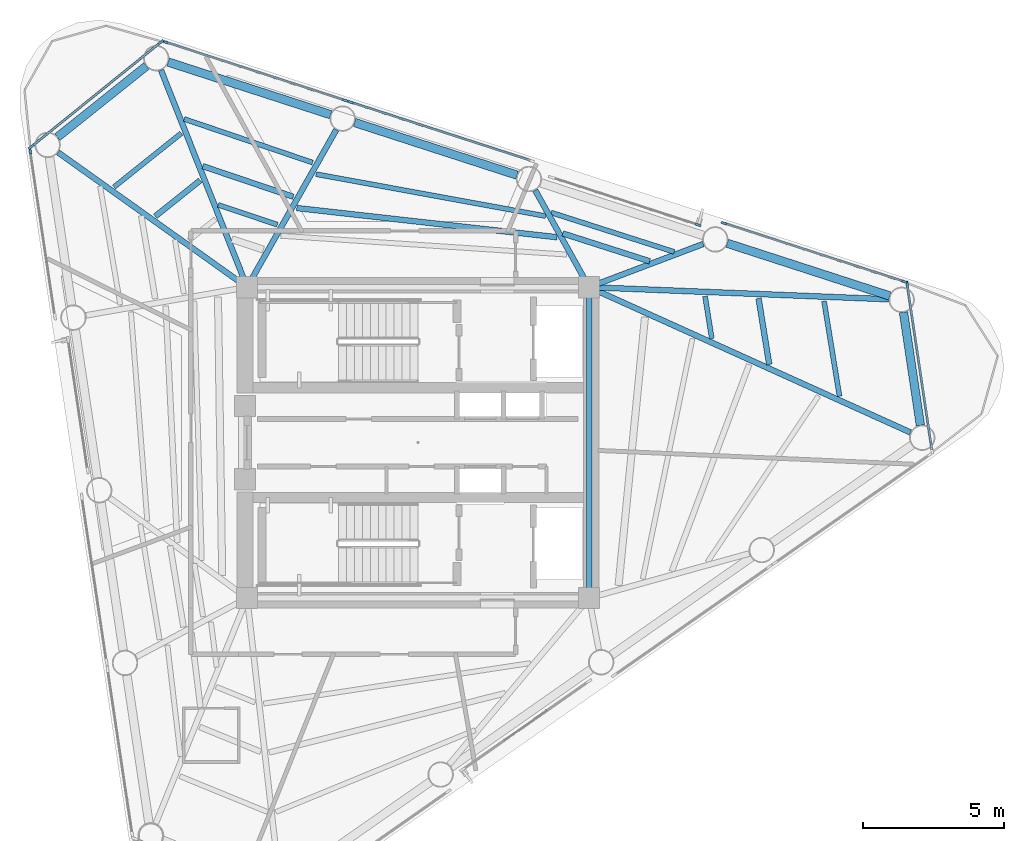
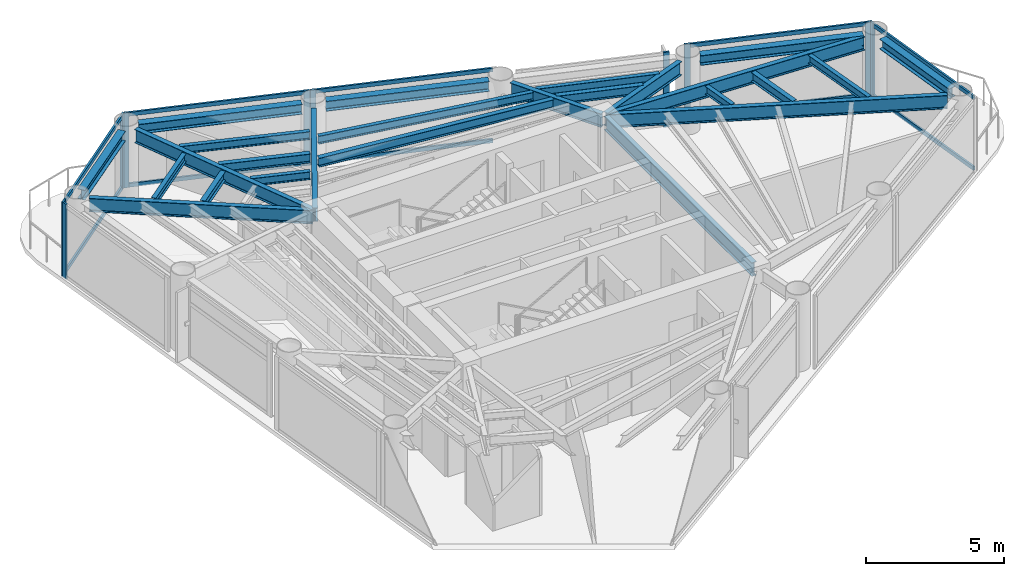
# One storey, part 3 of 9: 25 beams, 20 members, 7 elements without a shape of their own.
"""IFC4 building model written with IfcOpenShell, lengths in metres."""

from ifc_helpers import new_model, si_unit, direction, frame, origin, origin_2d, place, context, subcontext, project, spatial, rectangle, i_section, extrude, source, transform, mapped, material, layer, layer_set, material_profile, profile_set, type_object, element, aggregate, save


model = new_model("IFC4")

# Units and contexts
model_context = context("Model", 3, precision=1e-05, world=origin(), true_north=direction((0.0, 1.0)))
body_context = subcontext(model_context, "Body", "Model", "MODEL_VIEW")
ifc_project = project(units=[si_unit("LENGTHUNIT", "METRE"), si_unit("AREAUNIT", "SQUARE_METRE"), si_unit("VOLUMEUNIT", "CUBIC_METRE"), si_unit("PLANEANGLEUNIT", "RADIAN"), si_unit("MASSUNIT", "GRAM", prefix="KILO")], contexts=[model_context])

# Site, building, storey
site_placement = place(None, origin())
site = spatial("IfcSite", under=ifc_project, at=site_placement, CompositionType="ELEMENT")
building_placement = place(site_placement, origin())
building = spatial("IfcBuilding", under=site, at=building_placement, Name="Yunling Apex Tower", CompositionType="ELEMENT")
storey_placement = place(building_placement, frame((0.0, 0.0, 267.75)))
storey = spatial("IfcBuildingStorey", under=building, at=storey_placement, Name="L65", CompositionType="ELEMENT", Elevation=267.75)

# Beams
ifc_material_1 = material(Name="Steel Q355B", Category="steel")
ifc_material_profile_1 = material_profile(ifc_material_1, i_section(OverallWidth=0.199951171875, OverallDepth=0.60009765625, WebThickness=0.010986328125, FlangeThickness=0.01708984375, FilletRadius=0.02197265625, at=origin_2d()))
ifc_profile_set_1 = profile_set([ifc_material_profile_1], Name="Steel Q355B")
beam_type_1 = type_object("IfcBeamType", Name="BG-PRI-5", PredefinedType="USERDEFINED", material=ifc_profile_set_1)
shared_shape_1 = source(origin(), body_context, "Body", "SweptSolid", [
    extrude(i_section(OverallWidth=0.199951171875, OverallDepth=0.60009765625, WebThickness=0.010986328125, FlangeThickness=0.01708984375, FilletRadius=0.02197265625, at=origin_2d()), origin(), (0.0, 0.0, 1.0), 10.7001953125),
])
beam_1_placement = place(storey_placement, frame((6.050048828125, -5.35009765625, 2.919921875), z_axis=(0.0, 1.0, 0.0), x_axis=(-1.0, 0.0, 0.0)))
element("IfcBeam", 1, at=beam_1_placement, inside=storey, type_object=beam_type_1, Name="L65 Core Ring Tie Beam 2", ObjectType="GIRDER", PredefinedType="USERDEFINED", context=body_context, shape_type="MappedRepresentation", body=[
    mapped(shared_shape_1, transform((0.0, 0.0, 0.0), scale=1.0)),
])
ifc_material_profile_2 = material_profile(ifc_material_1, i_section(OverallWidth=0.300048828125, OverallDepth=0.43994140625, WebThickness=0.010986328125, FlangeThickness=0.01806640625, FilletRadius=0.02197265625, at=origin_2d()))
ifc_profile_set_2 = profile_set([ifc_material_profile_2], Name="Steel Q355B")
beam_type_2 = type_object("IfcBeamType", Name="BP-SPN-3", PredefinedType="SPANDREL", material=ifc_profile_set_2)
shared_shape_2 = source(origin(), body_context, "Body", "SweptSolid", [
    extrude(i_section(OverallWidth=0.300048828125, OverallDepth=0.43994140625, WebThickness=0.010986328125, FlangeThickness=0.01806640625, FilletRadius=0.02197265625, at=origin_2d()), origin(), (0.0, 0.0, 1.0), 6.043701171875),
])
for number, where, z_axis, x_axis, name in (
    (2, (16.687744140625, 5.189208984375, 3.0), (-0.951260618597, 0.308388124782, 0.0), (-0.308388124782, -0.951260618597, 0.0), "L65 Perimeter Spandrel Beam 6"),
    (3, (3.5, 9.464111328125, 3.0), (-0.951264460229, 0.30837627455, 0.0), (-0.30837627455, -0.951264460229, 0.0), "L65 Perimeter Spandrel Beam 8"),
    (4, (-3.093994140625, 11.601806640625, 3.0), (-0.951276309474, 0.308339720167, 0.0), (-0.308339720167, -0.951276309474, 0.0), "L65 Perimeter Spandrel Beam 9"),
):
    element("IfcBeam", number, at=place(storey_placement, frame(where, z_axis=z_axis, x_axis=x_axis)), inside=storey, type_object=beam_type_2, Name=name, PredefinedType="SPANDREL", context=body_context, shape_type="MappedRepresentation", body=[
        mapped(shared_shape_2, transform((0.0, 0.0, 0.0), scale=1.0)),
    ])
shared_shape_3 = source(origin(), body_context, "Body", "SweptSolid", [
    extrude(i_section(OverallWidth=0.300048828125, OverallDepth=0.43994140625, WebThickness=0.010986328125, FlangeThickness=0.01806640625, FilletRadius=0.02197265625, at=origin_2d()), origin(), (0.0, 0.0, 1.0), 4.047607421875),
])
beam_2_placement = place(storey_placement, frame((17.774169921875, 0.610107421875, 3.0), z_axis=(-0.147836074483, 0.98901187813, 0.0), x_axis=(-0.98901187813, -0.147836074483, 0.0)))
element("IfcBeam", 5, at=beam_2_placement, inside=storey, type_object=beam_type_2, Name="L65 Perimeter Spandrel Beam 5", PredefinedType="SPANDREL", context=body_context, shape_type="MappedRepresentation", body=[
    mapped(shared_shape_3, transform((0.0, 0.0, 0.0), scale=1.0)),
])
shared_shape_4 = source(origin(), body_context, "Body", "SweptSolid", [
    extrude(i_section(OverallWidth=0.300048828125, OverallDepth=0.43994140625, WebThickness=0.010986328125, FlangeThickness=0.01806640625, FilletRadius=0.02197265625, at=origin_2d()), origin(), (0.0, 0.0, 1.0), 4.03125),
])
beam_3_placement = place(storey_placement, frame((-9.612548828125, 13.3251953125, 3.0), z_axis=(-0.781412081213, -0.624015351842, 0.0), x_axis=(0.624015351842, -0.781412081213, 0.0)))
element("IfcBeam", 6, at=beam_3_placement, inside=storey, type_object=beam_type_2, Name="L65 Perimeter Spandrel Beam 10", PredefinedType="SPANDREL", context=body_context, shape_type="MappedRepresentation", body=[
    mapped(shared_shape_4, transform((0.0, 0.0, 0.0), scale=1.0)),
])
shared_shape_5 = source(origin(), body_context, "Body", "SweptSolid", [
    extrude(i_section(OverallWidth=0.199951171875, OverallDepth=0.60009765625, WebThickness=0.010986328125, FlangeThickness=0.01708984375, FilletRadius=0.02197265625, at=origin_2d()), origin(), (0.0, 0.0, 1.0), 12.400146484375),
])
beam_4_placement = place(storey_placement, frame((17.42236328125, 0.359619140625, 2.919921875), z_axis=(-0.911237617223, 0.411881056809, 0.0), x_axis=(-0.411881056809, -0.911237617223, 0.0)))
element("IfcBeam", 7, at=beam_4_placement, inside=storey, type_object=beam_type_1, Name="L65 Radial Primary Girder R05", ObjectType="GIRDER", PredefinedType="USERDEFINED", context=body_context, shape_type="MappedRepresentation", body=[
    mapped(shared_shape_5, transform((0.0, 0.0, 0.0), scale=1.0)),
])
shared_shape_6 = source(origin(), body_context, "Body", "SweptSolid", [
    extrude(i_section(OverallWidth=0.199951171875, OverallDepth=0.60009765625, WebThickness=0.010986328125, FlangeThickness=0.01708984375, FilletRadius=0.02197265625, at=origin_2d()), origin(), (0.0, 0.0, 1.0), 10.53125),
])
beam_5_placement = place(storey_placement, frame((16.652587890625, 5.07080078125, 2.919921875), z_axis=(-0.99918143594, 0.040453158992, 0.0), x_axis=(-0.040453158992, -0.99918143594, 0.0)))
element("IfcBeam", 8, at=beam_5_placement, inside=storey, type_object=beam_type_1, Name="L65 Radial Primary Girder R06", ObjectType="GIRDER", PredefinedType="USERDEFINED", context=body_context, shape_type="MappedRepresentation", body=[
    mapped(shared_shape_6, transform((0.0, 0.0, 0.0), scale=1.0)),
])
shared_shape_7 = source(origin(), body_context, "Body", "SweptSolid", [
    extrude(i_section(OverallWidth=0.199951171875, OverallDepth=0.60009765625, WebThickness=0.010986328125, FlangeThickness=0.01708984375, FilletRadius=0.02197265625, at=origin_2d()), origin(), (0.0, 0.0, 1.0), 4.2373046875),
])
beam_6_placement = place(storey_placement, frame((10.087890625, 7.02783203125, 2.919921875), z_axis=(-0.935290380754, -0.353881199938, 0.0), x_axis=(0.353881199938, -0.935290380754, 0.0)))
element("IfcBeam", 9, at=beam_6_placement, inside=storey, type_object=beam_type_1, Name="L65 Radial Primary Girder R07", ObjectType="GIRDER", PredefinedType="USERDEFINED", context=body_context, shape_type="MappedRepresentation", body=[
    mapped(shared_shape_7, transform((0.0, 0.0, 0.0), scale=1.0)),
])
shared_shape_8 = source(origin(), body_context, "Body", "SweptSolid", [
    extrude(i_section(OverallWidth=0.199951171875, OverallDepth=0.60009765625, WebThickness=0.010986328125, FlangeThickness=0.01708984375, FilletRadius=0.02197265625, at=origin_2d()), origin(), (0.0, 0.0, 1.0), 3.841064453125),
])
beam_7_placement = place(storey_placement, frame((4.144775390625, 8.927001953125, 2.919921875), z_axis=(0.485864181632, -0.874034322557, 0.0), x_axis=(0.874034322557, 0.485864181632, 0.0)))
element("IfcBeam", 10, at=beam_7_placement, inside=storey, type_object=beam_type_1, Name="L65 Radial Primary Girder R08", ObjectType="GIRDER", PredefinedType="USERDEFINED", context=body_context, shape_type="MappedRepresentation", body=[
    mapped(shared_shape_8, transform((0.0, 0.0, 0.0), scale=1.0)),
])
shared_shape_9 = source(origin(), body_context, "Body", "SweptSolid", [
    extrude(i_section(OverallWidth=0.199951171875, OverallDepth=0.60009765625, WebThickness=0.010986328125, FlangeThickness=0.01708984375, FilletRadius=0.02197265625, at=origin_2d()), origin(), (0.0, 0.0, 1.0), 6.317138671875),
])
beam_8_placement = place(storey_placement, frame((-2.8974609375, 11.06640625, 2.919921875), z_axis=(-0.492793153417, -0.870146486487, 0.0), x_axis=(0.870146486487, -0.492793153417, 0.0)))
element("IfcBeam", 11, at=beam_8_placement, inside=storey, type_object=beam_type_1, Name="L65 Radial Primary Girder R09", ObjectType="GIRDER", PredefinedType="USERDEFINED", context=body_context, shape_type="MappedRepresentation", body=[
    mapped(shared_shape_9, transform((0.0, 0.0, 0.0), scale=1.0)),
])
shared_shape_10 = source(origin(), body_context, "Body", "SweptSolid", [
    extrude(i_section(OverallWidth=0.199951171875, OverallDepth=0.60009765625, WebThickness=0.010986328125, FlangeThickness=0.01708984375, FilletRadius=0.02197265625, at=origin_2d()), origin(), (0.0, 0.0, 1.0), 8.178955078125),
])
beam_9_placement = place(storey_placement, frame((-9.0966796875, 13.176513671875, 2.919921875), z_axis=(0.368888092437, -0.929473816338, 0.0), x_axis=(0.929473816338, 0.368888092437, 0.0)))
element("IfcBeam", 12, at=beam_9_placement, inside=storey, type_object=beam_type_1, Name="L65 Radial Primary Girder R10", ObjectType="GIRDER", PredefinedType="USERDEFINED", context=body_context, shape_type="MappedRepresentation", body=[
    mapped(shared_shape_10, transform((0.0, 0.0, 0.0), scale=1.0)),
])
shared_shape_11 = source(origin(), body_context, "Body", "SweptSolid", [
    extrude(i_section(OverallWidth=0.199951171875, OverallDepth=0.60009765625, WebThickness=0.010986328125, FlangeThickness=0.01708984375, FilletRadius=0.02197265625, at=origin_2d()), origin(), (0.0, 0.0, 1.0), 8.132080078125),
])
beam_10_placement = place(storey_placement, frame((-12.73681640625, 10.2666015625, 2.919921875), z_axis=(0.814294994921, -0.580451256564, 0.0), x_axis=(0.580451256564, 0.814294994921, 0.0)))
element("IfcBeam", 13, at=beam_10_placement, inside=storey, type_object=beam_type_1, Name="L65 Radial Primary Girder R11", ObjectType="GIRDER", PredefinedType="USERDEFINED", context=body_context, shape_type="MappedRepresentation", body=[
    mapped(shared_shape_11, transform((0.0, 0.0, 0.0), scale=1.0)),
])
ifc_material_profile_3 = material_profile(ifc_material_1, i_section(OverallWidth=0.199951171875, OverallDepth=0.39990234375, WebThickness=0.008056640625, FlangeThickness=0.012939453125, FilletRadius=0.01611328125, at=origin_2d()))
ifc_profile_set_3 = profile_set([ifc_material_profile_3], Name="Steel Q355B")
beam_type_3 = type_object("IfcBeamType", Name="BS-SEC-4", PredefinedType="BEAM", material=ifc_profile_set_3)
shared_shape_12 = source(origin(), body_context, "Body", "SweptSolid", [
    extrude(i_section(OverallWidth=0.199951171875, OverallDepth=0.39990234375, WebThickness=0.008056640625, FlangeThickness=0.012939453125, FilletRadius=0.01611328125, at=origin_2d()), origin(), (0.0, 0.0, 1.0), 2.36572265625),
])
beam_11_placement = place(storey_placement, frame((12.425048828125, 2.764892578125, 3.02001953125), z_axis=(-0.159342756426, 0.987223321227, 0.0), x_axis=(-0.987223321227, -0.159342756426, 0.0)))
element("IfcBeam", 14, at=beam_11_placement, inside=storey, type_object=beam_type_3, Name="L65 Composite Floor Beam BS-5", PredefinedType="BEAM", context=body_context, shape_type="MappedRepresentation", body=[
    mapped(shared_shape_12, transform((0.0, 0.0, 0.0), scale=1.0)),
])
ifc_material_profile_4 = material_profile(ifc_material_1, i_section(OverallWidth=0.175048828125, OverallDepth=0.35009765625, WebThickness=0.007080078125, FlangeThickness=0.010986328125, FilletRadius=0.013916015625, at=origin_2d()))
ifc_profile_set_4 = profile_set([ifc_material_profile_4], Name="Steel Q355B")
beam_type_4 = type_object("IfcBeamType", Name="BJ-JST-1", PredefinedType="JOIST", material=ifc_profile_set_4)
shared_shape_13 = source(origin(), body_context, "Body", "SweptSolid", [
    extrude(i_section(OverallWidth=0.175048828125, OverallDepth=0.35009765625, WebThickness=0.007080078125, FlangeThickness=0.010986328125, FilletRadius=0.013916015625, at=origin_2d()), origin(), (0.0, 0.0, 1.0), 3.40966796875),
])
beam_12_placement = place(storey_placement, frame((14.910888671875, 1.64111328125, 3.044921875), z_axis=(-0.160600982695, 0.987019414377, 0.0), x_axis=(-0.987019414377, -0.160600982695, 0.0)))
element("IfcBeam", 15, at=beam_12_placement, inside=storey, type_object=beam_type_4, Name="L65 Composite Floor Joist BJ1-5", PredefinedType="JOIST", context=body_context, shape_type="MappedRepresentation", body=[
    mapped(shared_shape_13, transform((0.0, 0.0, 0.0), scale=1.0)),
])
shared_shape_14 = source(origin(), body_context, "Body", "SweptSolid", [
    extrude(i_section(OverallWidth=0.175048828125, OverallDepth=0.35009765625, WebThickness=0.007080078125, FlangeThickness=0.010986328125, FilletRadius=0.013916015625, at=origin_2d()), origin(), (0.0, 0.0, 1.0), 1.51171875),
])
beam_13_placement = place(storey_placement, frame((10.3916015625, 3.68408203125, 3.044921875), z_axis=(-0.157297614413, 0.987551244493, 0.0), x_axis=(-0.987551244493, -0.157297614413, 0.0)))
element("IfcBeam", 16, at=beam_13_placement, inside=storey, type_object=beam_type_4, Name="L65 Composite Floor Joist BJ3-5", PredefinedType="JOIST", context=body_context, shape_type="MappedRepresentation", body=[
    mapped(shared_shape_14, transform((0.0, 0.0, 0.0), scale=1.0)),
])
shared_shape_15 = source(origin(), body_context, "Body", "SweptSolid", [
    extrude(i_section(OverallWidth=0.199951171875, OverallDepth=0.39990234375, WebThickness=0.008056640625, FlangeThickness=0.012939453125, FilletRadius=0.01611328125, at=origin_2d()), origin(), (0.0, 0.0, 1.0), 3.22705078125),
])
beam_14_placement = place(storey_placement, frame((8.191650390625, 6.416748046875, 3.02001953125), z_axis=(-0.952339781695, 0.305039243708, 0.0), x_axis=(-0.305039243708, -0.952339781695, 0.0)))
element("IfcBeam", 17, at=beam_14_placement, inside=storey, type_object=beam_type_3, Name="L65 Composite Floor Beam BS-7", PredefinedType="BEAM", context=body_context, shape_type="MappedRepresentation", body=[
    mapped(shared_shape_15, transform((0.0, 0.0, 0.0), scale=1.0)),
])
shared_shape_16 = source(origin(), body_context, "Body", "SweptSolid", [
    extrude(i_section(OverallWidth=0.175048828125, OverallDepth=0.35009765625, WebThickness=0.007080078125, FlangeThickness=0.010986328125, FilletRadius=0.013916015625, at=origin_2d()), origin(), (0.0, 0.0, 1.0), 4.572998046875),
])
beam_15_placement = place(storey_placement, frame((9.0634765625, 6.74658203125, 3.044921875), z_axis=(-0.952472485452, 0.304624628776, 0.0), x_axis=(-0.304624628776, -0.952472485452, 0.0)))
element("IfcBeam", 18, at=beam_15_placement, inside=storey, type_object=beam_type_4, Name="L65 Composite Floor Joist BJ1-7", PredefinedType="JOIST", context=body_context, shape_type="MappedRepresentation", body=[
    mapped(shared_shape_16, transform((0.0, 0.0, 0.0), scale=1.0)),
])
shared_shape_17 = source(origin(), body_context, "Body", "SweptSolid", [
    extrude(i_section(OverallWidth=0.199951171875, OverallDepth=0.39990234375, WebThickness=0.008056640625, FlangeThickness=0.012939453125, FilletRadius=0.01611328125, at=origin_2d()), origin(), (0.0, 0.0, 1.0), 9.271728515625),
])
beam_16_placement = place(storey_placement, frame((4.9189453125, 7.266357421875, 3.02001953125), z_axis=(-0.993765641634, 0.111489234941, 0.0), x_axis=(-0.111489234941, -0.993765641634, 0.0)))
element("IfcBeam", 19, at=beam_16_placement, inside=storey, type_object=beam_type_3, Name="L65 Composite Floor Beam BS-8", PredefinedType="BEAM", context=body_context, shape_type="MappedRepresentation", body=[
    mapped(shared_shape_17, transform((0.0, 0.0, 0.0), scale=1.0)),
])
shared_shape_18 = source(origin(), body_context, "Body", "SweptSolid", [
    extrude(i_section(OverallWidth=0.175048828125, OverallDepth=0.35009765625, WebThickness=0.007080078125, FlangeThickness=0.010986328125, FilletRadius=0.013916015625, at=origin_2d()), origin(), (0.0, 0.0, 1.0), 8.256103515625),
])
beam_17_placement = place(storey_placement, frame((4.510009765625, 8.015625, 3.044921875), z_axis=(-0.983737162393, 0.179614017626, 0.0), x_axis=(-0.179614017626, -0.983737162393, 0.0)))
element("IfcBeam", 20, at=beam_17_placement, inside=storey, type_object=beam_type_4, Name="L65 Composite Floor Joist BJ1-8", PredefinedType="JOIST", context=body_context, shape_type="MappedRepresentation", body=[
    mapped(shared_shape_18, transform((0.0, 0.0, 0.0), scale=1.0)),
])
shared_shape_19 = source(origin(), body_context, "Body", "SweptSolid", [
    extrude(i_section(OverallWidth=0.199951171875, OverallDepth=0.39990234375, WebThickness=0.008056640625, FlangeThickness=0.012939453125, FilletRadius=0.01611328125, at=origin_2d()), origin(), (0.0, 0.0, 1.0), 3.37646484375),
])
beam_18_placement = place(storey_placement, frame((-4.418701171875, 8.698974609375, 3.02001953125), z_axis=(-0.947337172377, 0.320237851966, 0.0), x_axis=(-0.320237851966, -0.947337172377, 0.0)))
element("IfcBeam", 21, at=beam_18_placement, inside=storey, type_object=beam_type_3, Name="L65 Composite Floor Beam BS-9", PredefinedType="BEAM", context=body_context, shape_type="MappedRepresentation", body=[
    mapped(shared_shape_19, transform((0.0, 0.0, 0.0), scale=1.0)),
])
shared_shape_20 = source(origin(), body_context, "Body", "SweptSolid", [
    extrude(i_section(OverallWidth=0.175048828125, OverallDepth=0.35009765625, WebThickness=0.007080078125, FlangeThickness=0.010986328125, FilletRadius=0.013916015625, at=origin_2d()), origin(), (0.0, 0.0, 1.0), 4.802490234375),
])
beam_19_placement = place(storey_placement, frame((-3.73388671875, 9.908447265625, 3.044921875), z_axis=(-0.946894147211, 0.32154544621, 0.0), x_axis=(-0.32154544621, -0.946894147211, 0.0)))
element("IfcBeam", 22, at=beam_19_placement, inside=storey, type_object=beam_type_4, Name="L65 Composite Floor Joist BJ1-9", PredefinedType="JOIST", context=body_context, shape_type="MappedRepresentation", body=[
    mapped(shared_shape_20, transform((0.0, 0.0, 0.0), scale=1.0)),
])
shared_shape_21 = source(origin(), body_context, "Body", "SweptSolid", [
    extrude(i_section(OverallWidth=0.175048828125, OverallDepth=0.35009765625, WebThickness=0.007080078125, FlangeThickness=0.010986328125, FilletRadius=0.013916015625, at=origin_2d()), origin(), (0.0, 0.0, 1.0), 2.209716796875),
])
beam_20_placement = place(storey_placement, frame((-4.979248046875, 7.709228515625, 3.044921875), z_axis=(-0.948029450248, 0.318182591389, 0.0), x_axis=(-0.318182591389, -0.948029450248, 0.0)))
element("IfcBeam", 23, at=beam_20_placement, inside=storey, type_object=beam_type_4, Name="L65 Composite Floor Joist BJ3-9", PredefinedType="JOIST", context=body_context, shape_type="MappedRepresentation", body=[
    mapped(shared_shape_21, transform((0.0, 0.0, 0.0), scale=1.0)),
])
shared_shape_22 = source(origin(), body_context, "Body", "SweptSolid", [
    extrude(i_section(OverallWidth=0.199951171875, OverallDepth=0.39990234375, WebThickness=0.008056640625, FlangeThickness=0.012939453125, FilletRadius=0.01611328125, at=origin_2d()), origin(), (0.0, 0.0, 1.0), 2.032958984375),
])
beam_21_placement = place(storey_placement, frame((-7.712890625, 9.275634765625, 3.02001953125), z_axis=(-0.781161617118, -0.624328862013, 0.0), x_axis=(0.624328862013, -0.781161617118, 0.0)))
element("IfcBeam", 24, at=beam_21_placement, inside=storey, type_object=beam_type_3, Name="L65 Composite Floor Beam BS-10", PredefinedType="BEAM", context=body_context, shape_type="MappedRepresentation", body=[
    mapped(shared_shape_22, transform((0.0, 0.0, 0.0), scale=1.0)),
])
shared_shape_23 = source(origin(), body_context, "Body", "SweptSolid", [
    extrude(i_section(OverallWidth=0.175048828125, OverallDepth=0.35009765625, WebThickness=0.007080078125, FlangeThickness=0.010986328125, FilletRadius=0.013916015625, at=origin_2d()), origin(), (0.0, 0.0, 1.0), 3.048095703125),
])
beam_22_placement = place(storey_placement, frame((-8.376708984375, 10.947998046875, 3.044921875), z_axis=(-0.78115784601, -0.624333580401, 0.0), x_axis=(0.624333580401, -0.78115784601, 0.0)))
element("IfcBeam", 25, at=beam_22_placement, inside=storey, type_object=beam_type_4, Name="L65 Composite Floor Joist BJ1-10", PredefinedType="JOIST", context=body_context, shape_type="MappedRepresentation", body=[
    mapped(shared_shape_23, transform((0.0, 0.0, 0.0), scale=1.0)),
])

# Curtain wall, member
ifc_material_2 = material(Name="Bronze anodised aluminium", Category="aluminium")
ifc_layer = layer(ifc_material_2, 0.219970703125)
ifc_layer_set = layer_set([ifc_layer], Name="Bronze anodised aluminium")
curtain_wall_type = type_object("IfcCurtainWallType", Name="CW-SYS-4", PredefinedType="NOTDEFINED", material=ifc_layer_set)
curtain_wall_1_placement = place(storey_placement, origin())
curtain_wall_1 = element("IfcCurtainWall", 26, at=curtain_wall_1_placement, inside=storey, type_object=curtain_wall_type, Name="CW-L65-CRN1", PredefinedType="NOTDEFINED")
ifc_material_profile_5 = material_profile(ifc_material_2, rectangle(XDim=0.080078125, YDim=0.219970703125, at=origin_2d()))
ifc_profile_set_5 = profile_set([ifc_material_profile_5], Name="Bronze anodised aluminium")
member_type_1 = type_object("IfcMemberType", Name="CW-MUL-4", PredefinedType="MULLION", material=ifc_profile_set_5)
shared_shape_24 = source(origin(), body_context, "Body", "SweptSolid", [
    extrude(rectangle(XDim=0.080078125, YDim=0.219970703125, at=origin_2d()), origin(), (0.0, 0.0, 1.0), 3.320068359375),
])
member_1_placement = place(storey_placement, frame((17.307373046875, 5.6025390625, -0.050048828125), z_axis=(0.0, 0.0, 1.0), x_axis=(-0.989016885218, -0.147802573571, 0.0)))
member_1 = element("IfcMember", 27, at=member_1_placement, type_object=member_type_1, Name="CW-SYS-4 mullion 2", PredefinedType="MULLION", context=body_context, shape_type="MappedRepresentation", body=[
    mapped(shared_shape_24, transform((0.0, 0.0, 0.0), scale=1.0)),
])

# Curtain wall, members
curtain_wall_2_placement = place(storey_placement, origin())
curtain_wall_2 = element("IfcCurtainWall", 28, at=curtain_wall_2_placement, inside=storey, type_object=curtain_wall_type, Name="CW-L65-F2-B1", PredefinedType="NOTDEFINED")
member_2_placement = place(storey_placement, frame((17.193359375, 5.6982421875, -0.050048828125), z_axis=(0.0, 0.0, 1.0), x_axis=(-0.308353381834, -0.951271881173, 0.0)))
member_2 = element("IfcMember", 29, at=member_2_placement, type_object=member_type_1, Name="CW-SYS-4 mullion 1", PredefinedType="MULLION", context=body_context, shape_type="MappedRepresentation", body=[
    mapped(shared_shape_24, transform((0.0, 0.0, 0.0), scale=1.0)),
])
member_3_placement = place(storey_placement, frame((10.82763671875, 7.76171875, -0.050048828125), z_axis=(0.0, 0.0, 1.0), x_axis=(-0.308353381834, -0.951271881173, 0.0)))
member_3 = element("IfcMember", 30, at=member_3_placement, type_object=member_type_1, Name="CW-SYS-4 mullion 2", PredefinedType="MULLION", context=body_context, shape_type="MappedRepresentation", body=[
    mapped(shared_shape_24, transform((0.0, 0.0, 0.0), scale=1.0)),
])

# Curtain wall, member
curtain_wall_3_placement = place(storey_placement, origin())
curtain_wall_3 = element("IfcCurtainWall", 31, at=curtain_wall_3_placement, inside=storey, type_object=curtain_wall_type, Name="CW-L65-F2-B2", PredefinedType="NOTDEFINED")
member_4_placement = place(storey_placement, frame((9.90478515625, 7.703369140625, -0.050048828125), z_axis=(0.0, 0.0, 1.0), x_axis=(-0.30836941685, -0.951266683297, 0.0)))
member_4 = element("IfcMember", 32, at=member_4_placement, type_object=member_type_1, Name="CW-SYS-4 mullion 1", PredefinedType="MULLION", context=body_context, shape_type="MappedRepresentation", body=[
    mapped(shared_shape_24, transform((0.0, 0.0, 0.0), scale=1.0)),
])
aggregate(curtain_wall_3, [member_4])

curtain_wall_4_placement = place(storey_placement, origin())
curtain_wall_4 = element("IfcCurtainWall", 33, at=curtain_wall_4_placement, inside=storey, type_object=curtain_wall_type, Name="CW-L65-F2-B3", PredefinedType="NOTDEFINED")
member_5_placement = place(storey_placement, frame((-2.360107421875, 12.03662109375, -0.050048828125), z_axis=(0.0, 0.0, 1.0), x_axis=(-0.308371076658, -0.95126614524, 0.0)))
member_5 = element("IfcMember", 34, at=member_5_placement, type_object=member_type_1, Name="CW-SYS-4 mullion 2", PredefinedType="MULLION", context=body_context, shape_type="MappedRepresentation", body=[
    mapped(shared_shape_24, transform((0.0, 0.0, 0.0), scale=1.0)),
])

# Curtain wall, members
curtain_wall_5_placement = place(storey_placement, origin())
curtain_wall_5 = element("IfcCurtainWall", 35, at=curtain_wall_5_placement, inside=storey, type_object=curtain_wall_type, Name="CW-L65-F2-B4", PredefinedType="NOTDEFINED")
member_6_placement = place(storey_placement, frame((-2.58837890625, 12.110595703125, -0.050048828125), z_axis=(0.0, 0.0, 1.0), x_axis=(-0.308353381834, -0.951271881173, 0.0)))
member_6 = element("IfcMember", 36, at=member_6_placement, type_object=member_type_1, Name="CW-SYS-4 mullion 1", PredefinedType="MULLION", context=body_context, shape_type="MappedRepresentation", body=[
    mapped(shared_shape_24, transform((0.0, 0.0, 0.0), scale=1.0)),
])
member_7_placement = place(storey_placement, frame((-8.9541015625, 14.174072265625, -0.050048828125), z_axis=(0.0, 0.0, 1.0), x_axis=(-0.308353381834, -0.951271881173, 0.0)))
member_7 = element("IfcMember", 37, at=member_7_placement, type_object=member_type_1, Name="CW-SYS-4 mullion 2", PredefinedType="MULLION", context=body_context, shape_type="MappedRepresentation", body=[
    mapped(shared_shape_24, transform((0.0, 0.0, 0.0), scale=1.0)),
])

curtain_wall_6_placement = place(storey_placement, origin())
curtain_wall_6 = element("IfcCurtainWall", 38, at=curtain_wall_6_placement, inside=storey, type_object=curtain_wall_type, Name="CW-L65-CRN2", PredefinedType="NOTDEFINED")
member_8_placement = place(storey_placement, frame((-9.10546875, 14.1669921875, -0.050048828125), z_axis=(0.0, 0.0, 1.0), x_axis=(0.627988675266, -0.778222477019, 0.0)))
member_8 = element("IfcMember", 39, at=member_8_placement, type_object=member_type_1, Name="CW-SYS-4 mullion 1", PredefinedType="MULLION", context=body_context, shape_type="MappedRepresentation", body=[
    mapped(shared_shape_24, transform((0.0, 0.0, 0.0), scale=1.0)),
])
member_9_placement = place(storey_placement, frame((-13.69189453125, 10.4658203125, -0.050048828125), z_axis=(0.0, 0.0, 1.0), x_axis=(0.627988675266, -0.778222477019, 0.0)))
member_9 = element("IfcMember", 40, at=member_9_placement, type_object=member_type_1, Name="CW-SYS-4 mullion 2", PredefinedType="MULLION", context=body_context, shape_type="MappedRepresentation", body=[
    mapped(shared_shape_24, transform((0.0, 0.0, 0.0), scale=1.0)),
])

# Curtain wall, member
curtain_wall_7_placement = place(storey_placement, origin())
curtain_wall_7 = element("IfcCurtainWall", 41, at=curtain_wall_7_placement, inside=storey, type_object=curtain_wall_type, Name="CW-L65-F3-B1", PredefinedType="NOTDEFINED")
member_10_placement = place(storey_placement, frame((-13.72509765625, 10.3193359375, -0.050048828125), z_axis=(0.0, 0.0, 1.0), x_axis=(0.989016174309, 0.147807330522, 0.0)))
member_10 = element("IfcMember", 42, at=member_10_placement, type_object=member_type_1, Name="CW-SYS-4 mullion 1", PredefinedType="MULLION", context=body_context, shape_type="MappedRepresentation", body=[
    mapped(shared_shape_24, transform((0.0, 0.0, 0.0), scale=1.0)),
])
aggregate(curtain_wall_7, [member_10])

# Member
ifc_material_profile_6 = material_profile(ifc_material_2, rectangle(XDim=0.080078125, YDim=0.169921875, at=origin_2d()))
ifc_profile_set_6 = profile_set([ifc_material_profile_6], Name="Bronze anodised aluminium")
member_type_2 = type_object("IfcMemberType", Name="CW-TRN-4", PredefinedType="USERDEFINED", material=ifc_profile_set_6)
shared_shape_25 = source(origin(), body_context, "Body", "SweptSolid", [
    extrude(rectangle(XDim=0.080078125, YDim=0.169921875, at=origin_2d()), origin(), (0.0, 0.0, 1.0), 6.61962890625),
])
member_11_placement = place(storey_placement, frame((-2.622802734375, 12.121826171875, 0.0400390625), z_axis=(-0.951269317575, 0.308361290437, 0.0), x_axis=(-0.308361290437, -0.951269317575, 0.0)))
member_11 = element("IfcMember", 43, at=member_11_placement, type_object=member_type_2, Name="CW-SYS-4 transom 1.1", ObjectType="TRANSOM", PredefinedType="USERDEFINED", context=body_context, shape_type="MappedRepresentation", body=[
    mapped(shared_shape_25, transform((0.0, 0.0, 0.0), scale=1.0)),
])

member_12_placement = place(storey_placement, frame((-2.622802734375, 12.121826171875, 3.179931640625), z_axis=(-0.951269317575, 0.308361290437, 0.0), x_axis=(-0.308361290437, -0.951269317575, 0.0)))
member_12 = element("IfcMember", 44, at=member_12_placement, type_object=member_type_2, Name="CW-SYS-4 transom 1.2", ObjectType="TRANSOM", PredefinedType="USERDEFINED", context=body_context, shape_type="MappedRepresentation", body=[
    mapped(shared_shape_25, transform((0.0, 0.0, 0.0), scale=1.0)),
])

aggregate(curtain_wall_5, [member_6, member_7, member_11, member_12])

shared_shape_26 = source(origin(), body_context, "Body", "SweptSolid", [
    extrude(rectangle(XDim=0.080078125, YDim=0.169921875, at=origin_2d()), origin(), (0.0, 0.0, 1.0), 6.619873046875),
])
member_13_placement = place(storey_placement, frame((17.1591796875, 5.709228515625, 0.0400390625), z_axis=(-0.951272824274, 0.308350472348, 0.0), x_axis=(-0.308350472348, -0.951272824274, 0.0)))
member_13 = element("IfcMember", 45, at=member_13_placement, type_object=member_type_2, Name="CW-SYS-4 transom 1.1", ObjectType="TRANSOM", PredefinedType="USERDEFINED", context=body_context, shape_type="MappedRepresentation", body=[
    mapped(shared_shape_26, transform((0.0, 0.0, 0.0), scale=1.0)),
])

member_14_placement = place(storey_placement, frame((17.1591796875, 5.709228515625, 3.179931640625), z_axis=(-0.951272824274, 0.308350472348, 0.0), x_axis=(-0.308350472348, -0.951272824274, 0.0)))
member_14 = element("IfcMember", 46, at=member_14_placement, type_object=member_type_2, Name="CW-SYS-4 transom 1.2", ObjectType="TRANSOM", PredefinedType="USERDEFINED", context=body_context, shape_type="MappedRepresentation", body=[
    mapped(shared_shape_26, transform((0.0, 0.0, 0.0), scale=1.0)),
])

aggregate(curtain_wall_2, [member_2, member_3, member_13, member_14])

member_15_placement = place(storey_placement, frame((3.97119140625, 9.984130859375, 0.0400390625), z_axis=(-0.951258498664, 0.308394663895, 0.0), x_axis=(-0.308394663895, -0.951258498664, 0.0)))
member_15 = element("IfcMember", 47, at=member_15_placement, type_object=member_type_2, Name="CW-SYS-4 transom 1.1", ObjectType="TRANSOM", PredefinedType="USERDEFINED", context=body_context, shape_type="MappedRepresentation", body=[
    mapped(shared_shape_26, transform((0.0, 0.0, 0.0), scale=1.0)),
])

member_16_placement = place(storey_placement, frame((3.97119140625, 9.984130859375, 3.179931640625), z_axis=(-0.951258498664, 0.308394663895, 0.0), x_axis=(-0.308394663895, -0.951258498664, 0.0)))
member_16 = element("IfcMember", 48, at=member_16_placement, type_object=member_type_2, Name="CW-SYS-4 transom 1.2", ObjectType="TRANSOM", PredefinedType="USERDEFINED", context=body_context, shape_type="MappedRepresentation", body=[
    mapped(shared_shape_26, transform((0.0, 0.0, 0.0), scale=1.0)),
])

aggregate(curtain_wall_4, [member_5, member_15, member_16])

shared_shape_27 = source(origin(), body_context, "Body", "SweptSolid", [
    extrude(rectangle(XDim=0.080078125, YDim=0.169921875, at=origin_2d()), origin(), (0.0, 0.0, 1.0), 5.89404296875),
])
member_17_placement = place(storey_placement, frame((18.183837890625, -0.26220703125, 0.0400390625), z_axis=(-0.147791520702, 0.989018536939, 0.0), x_axis=(-0.989018536939, -0.147791520702, 0.0)))
member_17 = element("IfcMember", 49, at=member_17_placement, type_object=member_type_2, Name="CW-SYS-4 transom 1.1", ObjectType="TRANSOM", PredefinedType="USERDEFINED", context=body_context, shape_type="MappedRepresentation", body=[
    mapped(shared_shape_27, transform((0.0, 0.0, 0.0), scale=1.0)),
])

member_18_placement = place(storey_placement, frame((18.183837890625, -0.26220703125, 3.179931640625), z_axis=(-0.147791520702, 0.989018536939, 0.0), x_axis=(-0.989018536939, -0.147791520702, 0.0)))
member_18 = element("IfcMember", 50, at=member_18_placement, type_object=member_type_2, Name="CW-SYS-4 transom 1.2", ObjectType="TRANSOM", PredefinedType="USERDEFINED", context=body_context, shape_type="MappedRepresentation", body=[
    mapped(shared_shape_27, transform((0.0, 0.0, 0.0), scale=1.0)),
])

aggregate(curtain_wall_1, [member_1, member_17, member_18])

shared_shape_28 = source(origin(), body_context, "Body", "SweptSolid", [
    extrude(rectangle(XDim=0.080078125, YDim=0.169921875, at=origin_2d()), origin(), (0.0, 0.0, 1.0), 5.8212890625),
])
member_19_placement = place(storey_placement, frame((-9.133544921875, 14.144287109375, 0.0400390625), z_axis=(-0.778218644613, -0.627993424469, 0.0), x_axis=(0.627993424469, -0.778218644613, 0.0)))
member_19 = element("IfcMember", 51, at=member_19_placement, type_object=member_type_2, Name="CW-SYS-4 transom 1.1", ObjectType="TRANSOM", PredefinedType="USERDEFINED", context=body_context, shape_type="MappedRepresentation", body=[
    mapped(shared_shape_28, transform((0.0, 0.0, 0.0), scale=1.0)),
])

member_20_placement = place(storey_placement, frame((-9.133544921875, 14.144287109375, 3.179931640625), z_axis=(-0.778218644613, -0.627993424469, 0.0), x_axis=(0.627993424469, -0.778218644613, 0.0)))
member_20 = element("IfcMember", 52, at=member_20_placement, type_object=member_type_2, Name="CW-SYS-4 transom 1.2", ObjectType="TRANSOM", PredefinedType="USERDEFINED", context=body_context, shape_type="MappedRepresentation", body=[
    mapped(shared_shape_28, transform((0.0, 0.0, 0.0), scale=1.0)),
])

aggregate(curtain_wall_6, [member_8, member_9, member_19, member_20])

save(model, "model.ifc")
